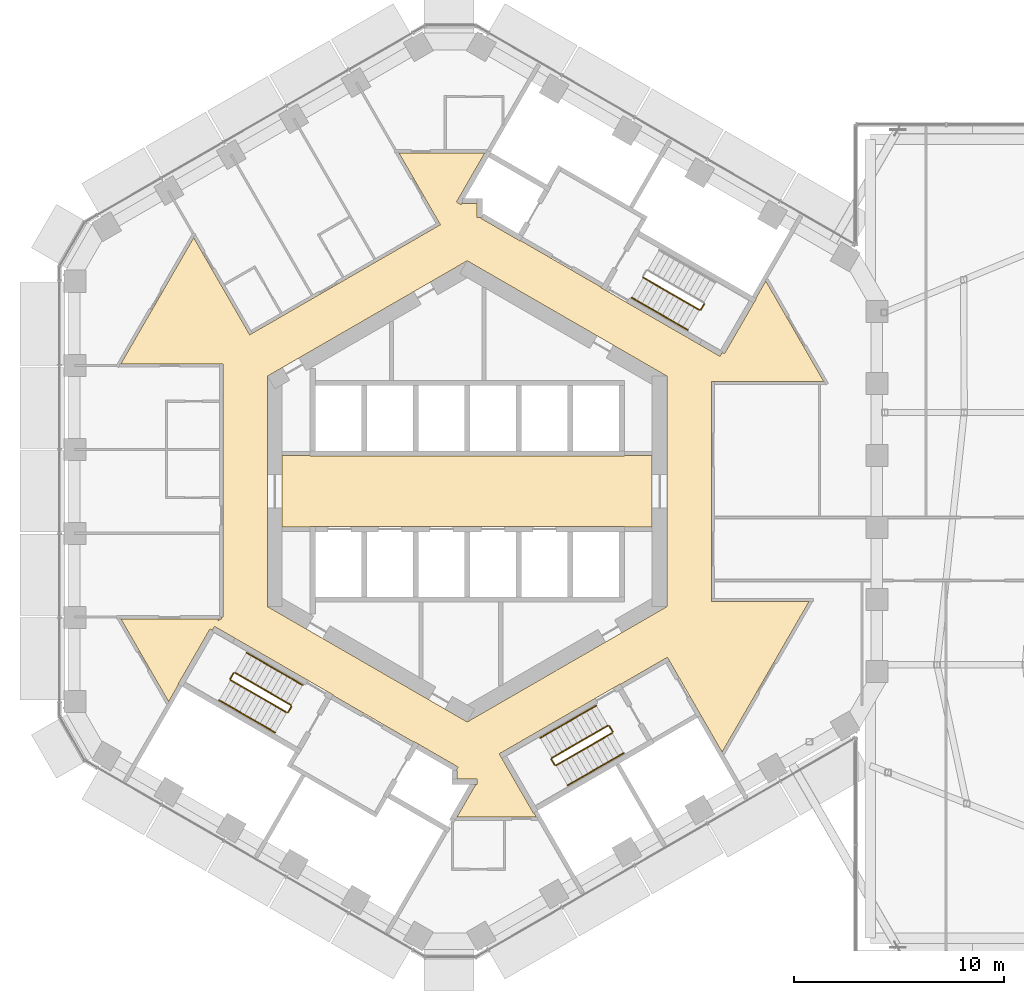
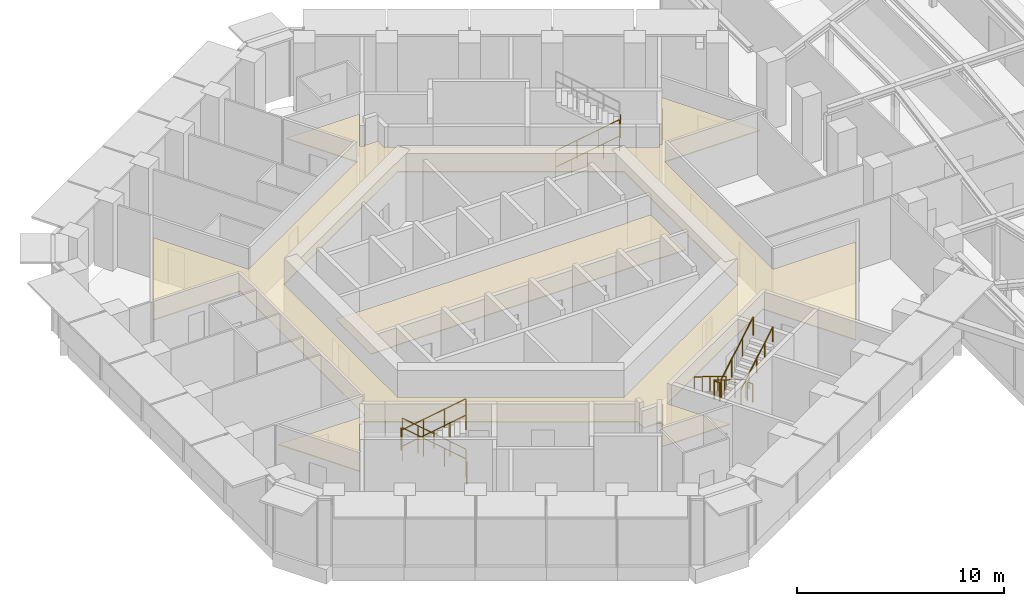
# One storey, part 23 of 24: 20 railings, 2 coverings.
"""IFC4 building model written with IfcOpenShell, lengths in metres."""

from ifc_helpers import new_model, si_unit, direction, frame, origin, origin_2d, place, context, subcontext, project, spatial, polyline, circle, outline, extrude, material, layer, layer_set, type_object, element, save


model = new_model("IFC4")

# Units and contexts
model_context = context("Model", 3, precision=1e-05, world=origin(), true_north=direction((0.0, 1.0)))
body_context = subcontext(model_context, "Body", "Model", "MODEL_VIEW")
ifc_project = project(units=[si_unit("LENGTHUNIT", "METRE"), si_unit("AREAUNIT", "SQUARE_METRE"), si_unit("VOLUMEUNIT", "CUBIC_METRE"), si_unit("PLANEANGLEUNIT", "RADIAN"), si_unit("MASSUNIT", "GRAM", prefix="KILO")], contexts=[model_context])

# Site, building, storey
site_placement = place(None, origin())
site = spatial("IfcSite", under=ifc_project, at=site_placement, CompositionType="ELEMENT")
building_placement = place(site_placement, origin())
building = spatial("IfcBuilding", under=site, at=building_placement, Name="Ayvan Gate Tower", CompositionType="ELEMENT")
storey_placement = place(building_placement, frame((0.0, 0.0, 128.5)))
storey = spatial("IfcBuildingStorey", under=building, at=storey_placement, Name="L34", CompositionType="ELEMENT", Elevation=128.5)

# Coverings
ifc_material_1 = material(Name="Plasterboard suspended ceiling")
ifc_layer = layer(ifc_material_1, 0.050048828125)
ifc_layer_set = layer_set([ifc_layer], Name="Plasterboard suspended ceiling")
covering_type = type_object("IfcCoveringType", Name="CT-SUSP-50", PredefinedType="CEILING", material=ifc_layer_set)
covering_1_placement = place(storey_placement, frame((0.0, 0.0, 2.39990234375)))
element("IfcCovering", 1, at=covering_1_placement, inside=storey, type_object=covering_type, Name="Ceiling Lift Lobby L34", PredefinedType="CEILING", context=body_context, shape_type="SweptSolid", body=[
    extrude(outline(polyline([(7.47509765625, -1.675048828125), (-7.47509765625, -1.675048828125), (-7.47509765625, -1.699951171875), (-8.800048828125, -1.699951171875), (-8.800048828125, 1.699951171875), (-7.47509765625, 1.699951171875), (-7.47509765625, 1.675048828125), (7.47509765625, 1.675048828125), (7.47509765625, 1.699951171875), (8.800048828125, 1.699951171875), (8.800048828125, -1.699951171875), (7.47509765625, -1.699951171875), (7.47509765625, -1.675048828125)])), origin(), (0.0, 0.0, 1.0), 0.050048828125),
])
covering_2_placement = place(storey_placement, frame((0.0, 0.0, 2.39990234375)))
element("IfcCovering", 2, at=covering_2_placement, inside=storey, type_object=covering_type, Name="Ceiling Ring Corridor L34", PredefinedType="CEILING", context=body_context, shape_type="SweptSolid", body=[
    extrude(outline(polyline([(-14.204833984375, -10.00341796875), (-16.481201171875, -6.060302734375), (-11.812744140625, -6.060302734375), (-11.870849609375, -6.160888671875), (-11.699951171875, -6.062255859375), (-11.699951171875, -5.9853515625), (-11.625, -5.9853515625), (-11.625, 6.060302734375), (-16.481201171875, 6.060302734375), (-13.013427734375, 12.066650390625), (-10.34765625, 7.44921875), (-10.235107421875, 7.51416015625), (-1.27734375, 12.685791015625), (-1.34228515625, 12.798583984375), (-3.25048828125, 16.103515625), (0.839111328125, 16.103515625), (-0.511474609375, 13.76416015625), (-0.294921875, 13.63916015625), (-0.215576171875, 13.776611328125), (-0.215576171875, 13.68505859375), (0.47509765625, 13.68505859375), (0.47509765625, 13.03857421875), (0.672119140625, 13.03857421875), (0.645751953125, 12.992919921875), (2.518310546875, 11.91162109375), (2.53076171875, 11.933349609375), (6.384521484375, 9.70849609375), (6.3720703125, 9.686767578125), (6.588623046875, 9.561767578125), (11.03759765625, 6.9931640625), (12.02294921875, 6.42431640625), (12.130126953125, 6.60986328125), (12.23828125, 6.54736328125), (13.631103515625, 8.959716796875), (13.756103515625, 9.176513671875), (13.734619140625, 9.188720703125), (14.204833984375, 10.00341796875), (16.956787109375, 5.23681640625), (11.625, 5.23681640625), (11.625, -5.23681640625), (16.263916015625, -5.23681640625), (12.126220703125, -12.4033203125), (11.123779296875, -10.667236328125), (9.623779296875, -8.069091796875), (9.52392578125, -7.89599609375), (7.2939453125, -9.183349609375), (7.281494140625, -9.16162109375), (1.522216796875, -12.48681640625), (1.647216796875, -12.703369140625), (3.147216796875, -15.30126953125), (3.1689453125, -15.288818359375), (3.29296875, -15.50341796875), (-0.49267578125, -15.50341796875), (0.386474609375, -13.980712890625), (0.30712890625, -13.93505859375), (0.465576171875, -13.93505859375), (0.465576171875, -13.68505859375), (-0.47509765625, -13.68505859375), (-0.47509765625, -13.28857421875), (-0.52783203125, -13.28857421875), (-0.42919921875, -13.117919921875), (-2.284423828125, -12.046630859375), (-2.518310546875, -11.91162109375), (-2.53076171875, -11.933349609375), (-6.384521484375, -9.70849609375), (-6.3720703125, -9.686767578125), (-11.03759765625, -6.9931640625), (-12.02294921875, -6.42431640625), (-12.130126953125, -6.60986328125), (-12.23828125, -6.54736328125), (-13.756103515625, -9.17626953125), (-13.734619140625, -9.188720703125), (-14.204833984375, -10.00341796875)]), holes=[polyline([(-8.771728515625, -5.9052734375), (0.0, -10.9697265625), (8.38720703125, -6.127197265625), (8.771728515625, -5.9052734375), (9.5, -5.48486328125), (9.5, 5.48486328125), (8.771728515625, 5.9052734375), (0.0, 10.9697265625), (-8.771728515625, 5.9052734375), (-9.5, 5.48486328125), (-9.5, -5.48486328125), (-8.771728515625, -5.9052734375)])]), origin(), (0.0, 0.0, 1.0), 0.050048828125),
])

# Railings
ifc_material_2 = material(Name="Stainless steel balustrade", Category="steel")
railing_type_1 = type_object("IfcRailingType", Name="RL-GUARD-1100", PredefinedType="GUARDRAIL", material=ifc_material_2)
railing_1_placement = place(storey_placement, frame((8.381103515625, 10.16650390625, 0.166748046875)))
element("IfcRailing", 3, at=railing_1_placement, inside=storey, type_object=railing_type_1, Name="L34 STS1 stair guard 1", PredefinedType="GUARDRAIL", context=body_context, shape_type="SweptSolid", body=[
    extrude(circle(Radius=0.02392578125, at=origin_2d()), frame((0.0, 0.0, 1.076171875), z_axis=(0.744189839504, -0.429649414936, 0.511451721109), x_axis=(0.499992328818, 0.866029832698, 0.0)), (0.0, 0.0, 1.0), 3.58447265625),
    extrude(circle(Radius=0.02099609375, at=origin_2d()), origin(), (0.0, 0.0, 1.0), 1.052001953125),
    extrude(circle(Radius=0.02099609375, at=origin_2d()), frame((0.88916015625, -0.513427734375, 0.611083984375)), (0.0, 0.0, 1.0), 1.052001953125),
    extrude(circle(Radius=0.02099609375, at=origin_2d()), frame((1.7783203125, -1.026611328125, 1.22216796875)), (0.0, 0.0, 1.0), 1.052001953125),
    extrude(circle(Radius=0.02099609375, at=origin_2d()), frame((2.66748046875, -1.5400390625, 1.833251953125)), (0.0, 0.0, 1.0), 1.052001953125),
])
railing_2_placement = place(storey_placement, frame((11.11669921875, 8.644775390625, 2.0)))
element("IfcRailing", 4, at=railing_2_placement, inside=storey, type_object=railing_type_1, Name="L34 STS1 stair guard 2", PredefinedType="GUARDRAIL", context=body_context, shape_type="SweptSolid", body=[
    extrude(circle(Radius=0.02392578125, at=origin_2d()), frame((0.0, 0.0, 1.076171875), z_axis=(0.499949632511, 0.866054481515, 0.0), x_axis=(-0.866054481515, 0.499949632511, 0.0)), (0.0, 0.0, 1.0), 0.31005859375),
    extrude(circle(Radius=0.02099609375, at=origin_2d()), origin(), (0.0, 0.0, 1.0), 1.052001953125),
    extrude(circle(Radius=0.02099609375, at=origin_2d()), frame((0.155029296875, 0.2685546875, 0.0)), (0.0, 0.0, 1.0), 1.052001953125),
])
railing_3_placement = place(storey_placement, frame((-8.381103515625, -10.16650390625, 0.166748046875)))
element("IfcRailing", 5, at=railing_3_placement, inside=storey, type_object=railing_type_1, Name="L34 STS2 stair guard 1", PredefinedType="GUARDRAIL", context=body_context, shape_type="SweptSolid", body=[
    extrude(circle(Radius=0.02392578125, at=origin_2d()), frame((0.0, 0.0, 1.076171875), z_axis=(-0.744189839504, 0.429649414936, 0.511451721109), x_axis=(-0.499992328818, -0.866029832698, 0.0)), (0.0, 0.0, 1.0), 3.58447265625),
    extrude(circle(Radius=0.02099609375, at=origin_2d()), origin(), (0.0, 0.0, 1.0), 1.052001953125),
    extrude(circle(Radius=0.02099609375, at=origin_2d()), frame((-0.88916015625, 0.513427734375, 0.611083984375)), (0.0, 0.0, 1.0), 1.052001953125),
    extrude(circle(Radius=0.02099609375, at=origin_2d()), frame((-1.7783203125, 1.026611328125, 1.22216796875)), (0.0, 0.0, 1.0), 1.052001953125),
    extrude(circle(Radius=0.02099609375, at=origin_2d()), frame((-2.66748046875, 1.5400390625, 1.833251953125)), (0.0, 0.0, 1.0), 1.052001953125),
])
railing_4_placement = place(storey_placement, frame((-11.11669921875, -8.644775390625, 2.0)))
element("IfcRailing", 6, at=railing_4_placement, inside=storey, type_object=railing_type_1, Name="L34 STS2 stair guard 2", PredefinedType="GUARDRAIL", context=body_context, shape_type="SweptSolid", body=[
    extrude(circle(Radius=0.02392578125, at=origin_2d()), frame((0.0, 0.0, 1.076171875), z_axis=(-0.499949632511, -0.866054481515, 0.0), x_axis=(0.866054481515, -0.499949632511, 0.0)), (0.0, 0.0, 1.0), 0.31005859375),
    extrude(circle(Radius=0.02099609375, at=origin_2d()), origin(), (0.0, 0.0, 1.0), 1.052001953125),
    extrude(circle(Radius=0.02099609375, at=origin_2d()), frame((-0.155029296875, -0.2685546875, 0.0)), (0.0, 0.0, 1.0), 1.052001953125),
])
railing_5_placement = place(storey_placement, frame((-11.25341796875, -8.981689453125, 2.166748046875)))
element("IfcRailing", 7, at=railing_5_placement, inside=storey, type_object=railing_type_1, Name="L34 STS2 stair guard 3", PredefinedType="GUARDRAIL", context=body_context, shape_type="SweptSolid", body=[
    extrude(circle(Radius=0.02392578125, at=origin_2d()), frame((0.0, 0.0, 1.076171875), z_axis=(0.74418122563, -0.429615651263, 0.511492615401), x_axis=(0.499967199496, 0.866044340336, 0.0)), (0.0, 0.0, 1.0), 3.584228515625),
    extrude(circle(Radius=0.02099609375, at=origin_2d()), origin(), (0.0, 0.0, 1.0), 1.052001953125),
    extrude(circle(Radius=0.02099609375, at=origin_2d()), frame((0.88916015625, -0.51318359375, 0.611083984375)), (0.0, 0.0, 1.0), 1.052001953125),
    extrude(circle(Radius=0.02099609375, at=origin_2d()), frame((1.778076171875, -1.026611328125, 1.22216796875)), (0.0, 0.0, 1.0), 1.052001953125),
    extrude(circle(Radius=0.02099609375, at=origin_2d()), frame((2.667236328125, -1.539794921875, 1.833251953125)), (0.0, 0.0, 1.0), 1.052001953125),
])
railing_6_placement = place(storey_placement, frame((-8.36279296875, -10.23486328125, 0.0)))
element("IfcRailing", 8, at=railing_6_placement, inside=storey, type_object=railing_type_1, Name="L34 STS2 stair guard 4", PredefinedType="GUARDRAIL", context=body_context, shape_type="SweptSolid", body=[
    extrude(circle(Radius=0.02392578125, at=origin_2d()), frame((0.0, 0.0, 1.076171875), z_axis=(-0.500290723946, -0.86585748916, 0.0), x_axis=(0.86585748916, -0.500290723946, 0.0)), (0.0, 0.0, 1.0), 0.309814453125),
    extrude(circle(Radius=0.02099609375, at=origin_2d()), origin(), (0.0, 0.0, 1.0), 1.052001953125),
    extrude(circle(Radius=0.02099609375, at=origin_2d()), frame((-0.155029296875, -0.268310546875, 0.0)), (0.0, 0.0, 1.0), 1.052001953125),
])
railing_7_placement = place(storey_placement, frame((6.6923828125, -11.1416015625, 0.166748046875)))
element("IfcRailing", 9, at=railing_7_placement, inside=storey, type_object=railing_type_1, Name="L34 STS3 stair guard 1", PredefinedType="GUARDRAIL", context=body_context, shape_type="SweptSolid", body=[
    extrude(circle(Radius=0.02392578125, at=origin_2d()), frame((0.0, 0.0, 1.076171875), z_axis=(-0.744211616859, -0.429593874019, 0.511466687808), x_axis=(0.499932877268, -0.866064153644, 0.0)), (0.0, 0.0, 1.0), 3.584228515625),
    extrude(circle(Radius=0.02099609375, at=origin_2d()), origin(), (0.0, 0.0, 1.0), 1.052001953125),
    extrude(circle(Radius=0.02099609375, at=origin_2d()), frame((-0.88916015625, -0.51318359375, 0.611083984375)), (0.0, 0.0, 1.0), 1.052001953125),
    extrude(circle(Radius=0.02099609375, at=origin_2d()), frame((-1.7783203125, -1.026611328125, 1.22216796875)), (0.0, 0.0, 1.0), 1.052001953125),
    extrude(circle(Radius=0.02099609375, at=origin_2d()), frame((-2.66748046875, -1.539794921875, 1.833251953125)), (0.0, 0.0, 1.0), 1.052001953125),
])
railing_8_placement = place(storey_placement, frame((4.006591796875, -12.749755859375, 2.0)))
element("IfcRailing", 10, at=railing_8_placement, inside=storey, type_object=railing_type_1, Name="L34 STS3 stair guard 2", PredefinedType="GUARDRAIL", context=body_context, shape_type="SweptSolid", body=[
    extrude(circle(Radius=0.02392578125, at=origin_2d()), frame((0.0, 0.0, 1.076171875), z_axis=(0.499949632511, -0.866054481515, 0.0), x_axis=(0.866054481515, 0.499949632511, 0.0)), (0.0, 0.0, 1.0), 0.31005859375),
    extrude(circle(Radius=0.02099609375, at=origin_2d()), origin(), (0.0, 0.0, 1.0), 1.052001953125),
    extrude(circle(Radius=0.02099609375, at=origin_2d()), frame((0.155029296875, -0.2685546875, 0.0)), (0.0, 0.0, 1.0), 1.052001953125),
])
railing_9_placement = place(storey_placement, frame((4.22998046875, -13.03662109375, 2.166748046875)))
element("IfcRailing", 11, at=railing_9_placement, inside=storey, type_object=railing_type_1, Name="L34 STS3 stair guard 3", PredefinedType="GUARDRAIL", context=body_context, shape_type="SweptSolid", body=[
    extrude(circle(Radius=0.02392578125, at=origin_2d()), frame((0.0, 0.0, 1.076171875), z_axis=(0.744189839504, 0.429649414936, 0.511451721109), x_axis=(-0.499992328818, 0.866029832698, 0.0)), (0.0, 0.0, 1.0), 3.58447265625),
    extrude(circle(Radius=0.02099609375, at=origin_2d()), origin(), (0.0, 0.0, 1.0), 1.052001953125),
    extrude(circle(Radius=0.02099609375, at=origin_2d()), frame((0.88916015625, 0.513427734375, 0.611083984375)), (0.0, 0.0, 1.0), 1.052001953125),
    extrude(circle(Radius=0.02099609375, at=origin_2d()), frame((1.7783203125, 1.026611328125, 1.22216796875)), (0.0, 0.0, 1.0), 1.052001953125),
    extrude(circle(Radius=0.02099609375, at=origin_2d()), frame((2.66748046875, 1.5400390625, 1.833251953125)), (0.0, 0.0, 1.0), 1.052001953125),
])
railing_10_placement = place(storey_placement, frame((6.7607421875, -11.159912109375, 0.0)))
element("IfcRailing", 12, at=railing_10_placement, inside=storey, type_object=railing_type_1, Name="L34 STS3 stair guard 4", PredefinedType="GUARDRAIL", context=body_context, shape_type="SweptSolid", body=[
    extrude(circle(Radius=0.02392578125, at=origin_2d()), frame((0.0, 0.0, 1.076171875), z_axis=(0.500290723946, -0.86585748916, 0.0), x_axis=(0.86585748916, 0.500290723946, 0.0)), (0.0, 0.0, 1.0), 0.309814453125),
    extrude(circle(Radius=0.02099609375, at=origin_2d()), origin(), (0.0, 0.0, 1.0), 1.052001953125),
    extrude(circle(Radius=0.02099609375, at=origin_2d()), frame((0.155029296875, -0.268310546875, 0.0)), (0.0, 0.0, 1.0), 1.052001953125),
])
railing_type_2 = type_object("IfcRailingType", Name="RL-HANDRAIL-900", PredefinedType="HANDRAIL", material=ifc_material_2)
railing_11_placement = place(storey_placement, frame((7.8310546875, 9.2138671875, 0.166748046875)))
element("IfcRailing", 13, at=railing_11_placement, inside=storey, type_object=railing_type_2, Name="L34 STS1 stair handrail 1", PredefinedType="HANDRAIL", context=body_context, shape_type="SweptSolid", body=[
    extrude(circle(Radius=0.02392578125, at=origin_2d()), frame((0.0, 0.0, 0.8759765625), z_axis=(0.744215763664, -0.42966438195, 0.511401423539), x_axis=(0.499992328818, 0.866029832698, 0.0)), (0.0, 0.0, 1.0), 1.792236328125),
    extrude(circle(Radius=0.02099609375, at=origin_2d()), origin(), (0.0, 0.0, 1.0), 0.851806640625),
    extrude(circle(Radius=0.02099609375, at=origin_2d()), frame((0.6669921875, -0.385009765625, 0.458251953125)), (0.0, 0.0, 1.0), 0.851806640625),
    extrude(circle(Radius=0.02099609375, at=origin_2d()), frame((1.333740234375, -0.77001953125, 0.91650390625)), (0.0, 0.0, 1.0), 0.851806640625),
])
railing_12_placement = place(storey_placement, frame((9.164794921875, 8.44384765625, 1.083251953125)))
element("IfcRailing", 14, at=railing_12_placement, inside=storey, type_object=railing_type_2, Name="L34 STS1 stair handrail 2", PredefinedType="HANDRAIL", context=body_context, shape_type="SweptSolid", body=[
    extrude(circle(Radius=0.02392578125, at=origin_2d()), frame((0.0, 0.0, 0.8759765625), z_axis=(0.7441639146, -0.429634447492, 0.511502013422), x_axis=(0.499992328818, 0.866029832698, 0.0)), (0.0, 0.0, 1.0), 1.792236328125),
    extrude(circle(Radius=0.02099609375, at=origin_2d()), origin(), (0.0, 0.0, 1.0), 0.851806640625),
    extrude(circle(Radius=0.02099609375, at=origin_2d()), frame((0.6669921875, -0.385009765625, 0.45849609375)), (0.0, 0.0, 1.0), 0.851806640625),
    extrude(circle(Radius=0.02099609375, at=origin_2d()), frame((1.333740234375, -0.77001953125, 0.916748046875)), (0.0, 0.0, 1.0), 0.851806640625),
])
railing_13_placement = place(storey_placement, frame((-7.8310546875, -9.2138671875, 0.166748046875)))
element("IfcRailing", 15, at=railing_13_placement, inside=storey, type_object=railing_type_2, Name="L34 STS2 stair handrail 1", PredefinedType="HANDRAIL", context=body_context, shape_type="SweptSolid", body=[
    extrude(circle(Radius=0.02392578125, at=origin_2d()), frame((0.0, 0.0, 0.8759765625), z_axis=(-0.744215763664, 0.42966438195, 0.511401423539), x_axis=(-0.499992328818, -0.866029832698, 0.0)), (0.0, 0.0, 1.0), 1.792236328125),
    extrude(circle(Radius=0.02099609375, at=origin_2d()), origin(), (0.0, 0.0, 1.0), 0.851806640625),
    extrude(circle(Radius=0.02099609375, at=origin_2d()), frame((-0.6669921875, 0.385009765625, 0.458251953125)), (0.0, 0.0, 1.0), 0.851806640625),
    extrude(circle(Radius=0.02099609375, at=origin_2d()), frame((-1.333740234375, 0.77001953125, 0.91650390625)), (0.0, 0.0, 1.0), 0.851806640625),
])
railing_14_placement = place(storey_placement, frame((-9.164794921875, -8.44384765625, 1.083251953125)))
element("IfcRailing", 16, at=railing_14_placement, inside=storey, type_object=railing_type_2, Name="L34 STS2 stair handrail 2", PredefinedType="HANDRAIL", context=body_context, shape_type="SweptSolid", body=[
    extrude(circle(Radius=0.02392578125, at=origin_2d()), frame((0.0, 0.0, 0.8759765625), z_axis=(-0.7441639146, 0.429634447492, 0.511502013422), x_axis=(-0.499992328818, -0.866029832698, 0.0)), (0.0, 0.0, 1.0), 1.792236328125),
    extrude(circle(Radius=0.02099609375, at=origin_2d()), origin(), (0.0, 0.0, 1.0), 0.851806640625),
    extrude(circle(Radius=0.02099609375, at=origin_2d()), frame((-0.6669921875, 0.385009765625, 0.45849609375)), (0.0, 0.0, 1.0), 0.851806640625),
    extrude(circle(Radius=0.02099609375, at=origin_2d()), frame((-1.333740234375, 0.77001953125, 0.916748046875)), (0.0, 0.0, 1.0), 0.851806640625),
])
railing_15_placement = place(storey_placement, frame((-11.803466796875, -9.93408203125, 2.166748046875)))
element("IfcRailing", 17, at=railing_15_placement, inside=storey, type_object=railing_type_2, Name="L34 STS2 stair handrail 3", PredefinedType="HANDRAIL", context=body_context, shape_type="SweptSolid", body=[
    extrude(circle(Radius=0.02392578125, at=origin_2d()), frame((0.0, 0.0, 0.8759765625), z_axis=(0.744215763664, -0.42966438195, 0.511401423539), x_axis=(0.499992328818, 0.866029832698, 0.0)), (0.0, 0.0, 1.0), 1.792236328125),
    extrude(circle(Radius=0.02099609375, at=origin_2d()), origin(), (0.0, 0.0, 1.0), 0.851806640625),
    extrude(circle(Radius=0.02099609375, at=origin_2d()), frame((0.6669921875, -0.385009765625, 0.458251953125)), (0.0, 0.0, 1.0), 0.851806640625),
    extrude(circle(Radius=0.02099609375, at=origin_2d()), frame((1.333740234375, -0.77001953125, 0.91650390625)), (0.0, 0.0, 1.0), 0.851806640625),
])
railing_16_placement = place(storey_placement, frame((-10.4697265625, -10.7041015625, 3.083251953125)))
element("IfcRailing", 18, at=railing_16_placement, inside=storey, type_object=railing_type_2, Name="L34 STS2 stair handrail 4", PredefinedType="HANDRAIL", context=body_context, shape_type="SweptSolid", body=[
    extrude(circle(Radius=0.02392578125, at=origin_2d()), frame((0.0, 0.0, 0.8759765625), z_axis=(0.7441639146, -0.429634447492, 0.511502013422), x_axis=(0.499992328818, 0.866029832698, 0.0)), (0.0, 0.0, 1.0), 1.792236328125),
    extrude(circle(Radius=0.02099609375, at=origin_2d()), origin(), (0.0, 0.0, 1.0), 0.851806640625),
    extrude(circle(Radius=0.02099609375, at=origin_2d()), frame((0.6669921875, -0.385009765625, 0.45849609375)), (0.0, 0.0, 1.0), 0.851806640625),
    extrude(circle(Radius=0.02099609375, at=origin_2d()), frame((1.333740234375, -0.77001953125, 0.916748046875)), (0.0, 0.0, 1.0), 0.851806640625),
])
railing_17_placement = place(storey_placement, frame((6.142333984375, -10.18896484375, 0.166748046875)))
element("IfcRailing", 19, at=railing_17_placement, inside=storey, type_object=railing_type_2, Name="L34 STS3 stair handrail 1", PredefinedType="HANDRAIL", context=body_context, shape_type="SweptSolid", body=[
    extrude(circle(Radius=0.02392578125, at=origin_2d()), frame((0.0, 0.0, 0.8759765625), z_axis=(-0.744215763664, -0.42966438195, 0.511401423539), x_axis=(0.499992328818, -0.866029832698, 0.0)), (0.0, 0.0, 1.0), 1.792236328125),
    extrude(circle(Radius=0.02099609375, at=origin_2d()), origin(), (0.0, 0.0, 1.0), 0.851806640625),
    extrude(circle(Radius=0.02099609375, at=origin_2d()), frame((-0.6669921875, -0.385009765625, 0.458251953125)), (0.0, 0.0, 1.0), 0.851806640625),
    extrude(circle(Radius=0.02099609375, at=origin_2d()), frame((-1.333740234375, -0.77001953125, 0.91650390625)), (0.0, 0.0, 1.0), 0.851806640625),
])
railing_18_placement = place(storey_placement, frame((4.80859375, -10.958984375, 1.083251953125)))
element("IfcRailing", 20, at=railing_18_placement, inside=storey, type_object=railing_type_2, Name="L34 STS3 stair handrail 2", PredefinedType="HANDRAIL", context=body_context, shape_type="SweptSolid", body=[
    extrude(circle(Radius=0.02392578125, at=origin_2d()), frame((0.0, 0.0, 0.8759765625), z_axis=(-0.744146675635, -0.429566911072, 0.511583809412), x_axis=(0.499942064311, -0.866058850386, 0.0)), (0.0, 0.0, 1.0), 1.7919921875),
    extrude(circle(Radius=0.02099609375, at=origin_2d()), origin(), (0.0, 0.0, 1.0), 0.851806640625),
    extrude(circle(Radius=0.02099609375, at=origin_2d()), frame((-0.666748046875, -0.384765625, 0.45849609375)), (0.0, 0.0, 1.0), 0.851806640625),
    extrude(circle(Radius=0.02099609375, at=origin_2d()), frame((-1.33349609375, -0.769775390625, 0.916748046875)), (0.0, 0.0, 1.0), 0.851806640625),
])
railing_19_placement = place(storey_placement, frame((4.780029296875, -13.9892578125, 2.166748046875)))
element("IfcRailing", 21, at=railing_19_placement, inside=storey, type_object=railing_type_2, Name="L34 STS3 stair handrail 3", PredefinedType="HANDRAIL", context=body_context, shape_type="SweptSolid", body=[
    extrude(circle(Radius=0.02392578125, at=origin_2d()), frame((0.0, 0.0, 0.8759765625), z_axis=(0.744215763664, 0.42966438195, 0.511401423539), x_axis=(-0.499992328818, 0.866029832698, 0.0)), (0.0, 0.0, 1.0), 1.792236328125),
    extrude(circle(Radius=0.02099609375, at=origin_2d()), origin(), (0.0, 0.0, 1.0), 0.851806640625),
    extrude(circle(Radius=0.02099609375, at=origin_2d()), frame((0.6669921875, 0.385009765625, 0.458251953125)), (0.0, 0.0, 1.0), 0.851806640625),
    extrude(circle(Radius=0.02099609375, at=origin_2d()), frame((1.333740234375, 0.77001953125, 0.91650390625)), (0.0, 0.0, 1.0), 0.851806640625),
])
railing_20_placement = place(storey_placement, frame((6.11376953125, -13.21923828125, 3.083251953125)))
element("IfcRailing", 22, at=railing_20_placement, inside=storey, type_object=railing_type_2, Name="L34 STS3 stair handrail 4", PredefinedType="HANDRAIL", context=body_context, shape_type="SweptSolid", body=[
    extrude(circle(Radius=0.02392578125, at=origin_2d()), frame((0.0, 0.0, 0.8759765625), z_axis=(0.744103121745, 0.429678001828, 0.51155386711), x_axis=(-0.500060979923, 0.865990194147, 0.0)), (0.0, 0.0, 1.0), 1.7919921875),
    extrude(circle(Radius=0.02099609375, at=origin_2d()), origin(), (0.0, 0.0, 1.0), 0.851806640625),
    extrude(circle(Radius=0.02099609375, at=origin_2d()), frame((0.666748046875, 0.385009765625, 0.45849609375)), (0.0, 0.0, 1.0), 0.851806640625),
    extrude(circle(Radius=0.02099609375, at=origin_2d()), frame((1.33349609375, 0.77001953125, 0.916748046875)), (0.0, 0.0, 1.0), 0.851806640625),
])

save(model, "model.ifc")
